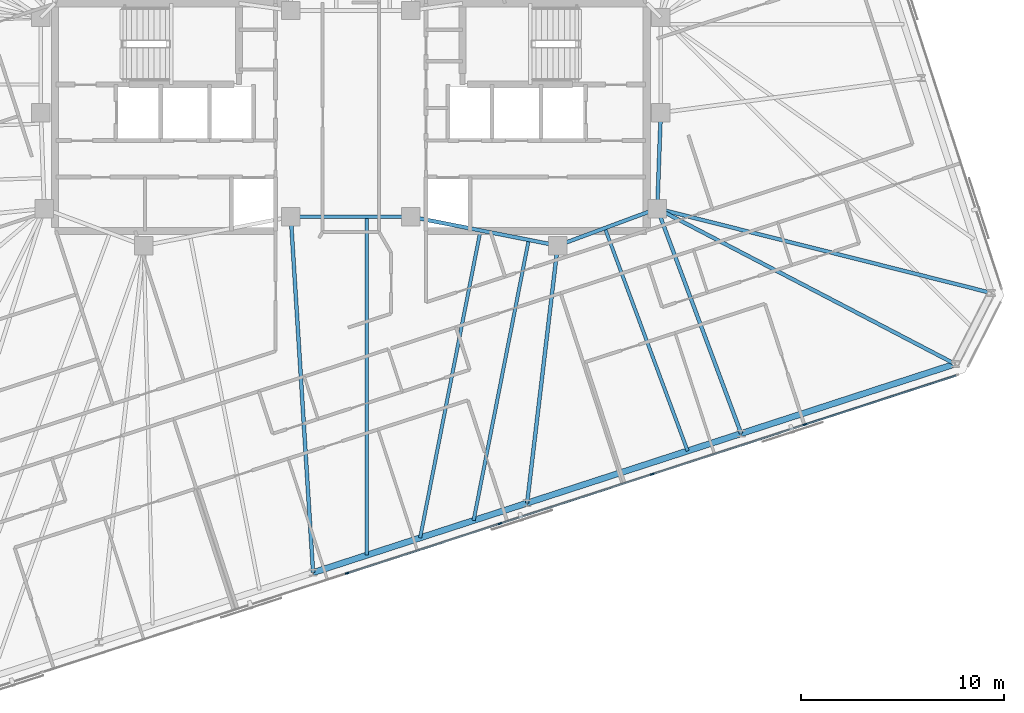
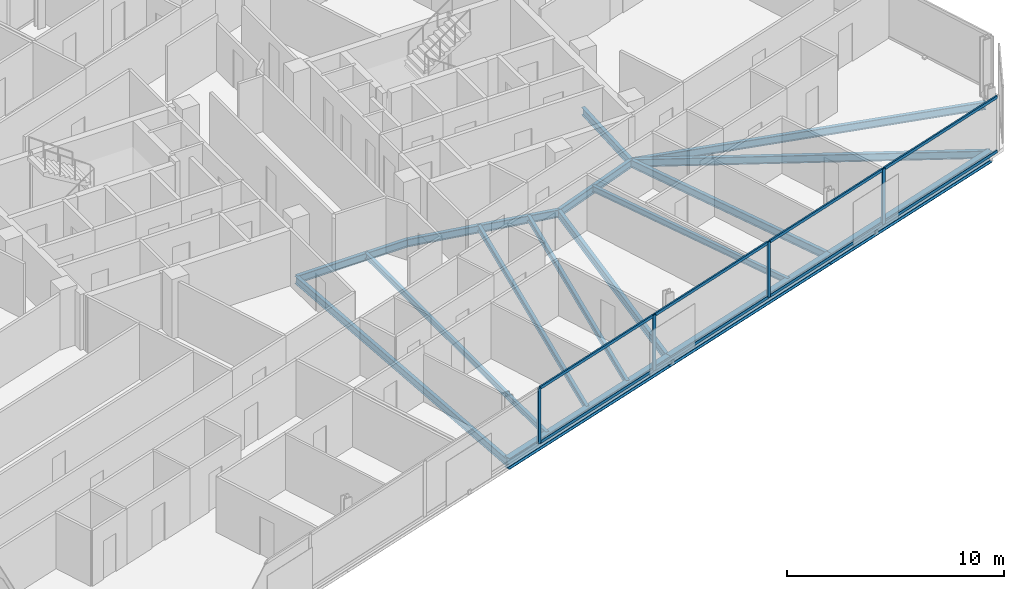
# One storey, part 7 of 20: 16 beams, 12 members, 1 element without a shape of its own.
"""IFC4 building model written with IfcOpenShell, lengths in metres."""

from ifc_helpers import new_model, si_unit, direction, frame, origin, origin_2d, place, context, subcontext, project, spatial, rectangle, i_section, extrude, material, material_profile, profile_set, type_object, element, aggregate, save


model = new_model("IFC4")

# Units and contexts
model_context = context("Model", 3, precision=1e-05, world=origin(), true_north=direction((0.0, 1.0)))
body_context = subcontext(model_context, "Body", "Model", "MODEL_VIEW")
ifc_project = project(units=[si_unit("LENGTHUNIT", "METRE"), si_unit("AREAUNIT", "SQUARE_METRE"), si_unit("VOLUMEUNIT", "CUBIC_METRE"), si_unit("PLANEANGLEUNIT", "RADIAN"), si_unit("MASSUNIT", "GRAM", prefix="KILO")], contexts=[model_context])

# Site, building, storey
site_placement = place(None, origin())
site = spatial("IfcSite", under=ifc_project, at=site_placement, CompositionType="ELEMENT")
building_placement = place(site_placement, origin())
building = spatial("IfcBuilding", under=site, at=building_placement, Name="Menara Jurai Vektor", CompositionType="ELEMENT")
storey_placement = place(building_placement, frame((0.0, 0.0, 247.75)))
storey = spatial("IfcBuildingStorey", under=building, at=storey_placement, Name="L66", CompositionType="ELEMENT", Elevation=247.75)

# Curtain wall, members
ifc_material_1 = material(Name="Anodised Pale Aluminium & Low-E Double Glazing", Category="aluminium")
curtain_wall_type = type_object("IfcCurtainWallType", Name="CW-BLK4", PredefinedType="NOTDEFINED", material=ifc_material_1)
curtain_wall_placement = place(storey_placement, origin())
curtain_wall = element("IfcCurtainWall", 1, at=curtain_wall_placement, inside=storey, type_object=curtain_wall_type, Name="Unitised Curtain Wall L66 F01", PredefinedType="NOTDEFINED")
ifc_material_2 = material(Name="Anodised Pale Aluminium Mullion", Category="aluminium")
ifc_material_profile_1 = material_profile(ifc_material_2, rectangle(XDim=0.080078125, YDim=0.18994140625, at=origin_2d()), Name="ALU MUL 80x190")
ifc_profile_set_1 = profile_set([ifc_material_profile_1], Name="Anodised Pale Aluminium Mullion")
member_type_1 = type_object("IfcMemberType", Name="CW-BLK4-MUL", PredefinedType="MULLION", material=ifc_profile_set_1)
member_1_placement = place(storey_placement, frame((-0.17236328125, -22.4404296875, 0.0), z_axis=(0.0, 0.0, 1.0), x_axis=(-0.309017344167, 0.951056402641, 0.0)))
member_1 = element("IfcMember", 2, at=member_1_placement, type_object=member_type_1, Name="CW-04 mullion 4", PredefinedType="MULLION", context=body_context, shape_type="SweptSolid", body=[
    extrude(rectangle(XDim=0.080078125, YDim=0.18994140625, at=origin_2d()), origin(), (0.0, 0.0, 1.0), 3.125),
])
member_2_placement = place(storey_placement, frame((7.3330078125, -20.001953125, 0.0), z_axis=(0.0, 0.0, 1.0), x_axis=(-0.309017344167, 0.951056402641, 0.0)))
member_2 = element("IfcMember", 3, at=member_2_placement, type_object=member_type_1, Name="CW-04 mullion 5", PredefinedType="MULLION", context=body_context, shape_type="SweptSolid", body=[
    extrude(rectangle(XDim=0.080078125, YDim=0.18994140625, at=origin_2d()), origin(), (0.0, 0.0, 1.0), 3.125),
])
member_3_placement = place(storey_placement, frame((14.838134765625, -17.563232421875, 0.0), z_axis=(0.0, 0.0, 1.0), x_axis=(-0.309017344167, 0.951056402641, 0.0)))
member_3 = element("IfcMember", 4, at=member_3_placement, type_object=member_type_1, Name="CW-04 mullion 6", PredefinedType="MULLION", context=body_context, shape_type="SweptSolid", body=[
    extrude(rectangle(XDim=0.080078125, YDim=0.18994140625, at=origin_2d()), origin(), (0.0, 0.0, 1.0), 3.125),
])
member_4_placement = place(storey_placement, frame((22.34326171875, -15.124755859375, 0.0), z_axis=(0.0, 0.0, 1.0), x_axis=(-0.309017344167, 0.951056402641, 0.0)))
member_4 = element("IfcMember", 5, at=member_4_placement, type_object=member_type_1, Name="CW-04 mullion 7", PredefinedType="MULLION", context=body_context, shape_type="SweptSolid", body=[
    extrude(rectangle(XDim=0.080078125, YDim=0.18994140625, at=origin_2d()), origin(), (0.0, 0.0, 1.0), 3.125),
])
ifc_material_3 = material(Name="Anodised Pale Aluminium Transom", Category="aluminium")
ifc_material_profile_2 = material_profile(ifc_material_3, rectangle(XDim=0.080078125, YDim=0.1650390625, at=origin_2d()), Name="ALU TRN 80x165")
ifc_profile_set_2 = profile_set([ifc_material_profile_2], Name="Anodised Pale Aluminium Transom")
member_type_2 = type_object("IfcMemberType", Name="CW-BLK4-TRN", PredefinedType="USERDEFINED", material=ifc_profile_set_2)
member_5_placement = place(storey_placement, frame((-0.13427734375, -22.427978515625, 0.0400390625), z_axis=(0.951059330237, 0.309008333817, 0.0), x_axis=(-0.309008333817, 0.951059330237, 0.0)))
member_5 = element("IfcMember", 6, at=member_5_placement, type_object=member_type_2, Name="CW-04 transom 4.1", ObjectType="TRANSOM", PredefinedType="USERDEFINED", context=body_context, shape_type="SweptSolid", body=[
    extrude(rectangle(XDim=0.080078125, YDim=0.1650390625, at=origin_2d()), origin(), (0.0, 0.0, 1.0), 7.8115234375),
])
member_6_placement = place(storey_placement, frame((-0.13427734375, -22.427978515625, 3.0849609375), z_axis=(0.951059330237, 0.309008333817, 0.0), x_axis=(-0.309008333817, 0.951059330237, 0.0)))
member_6 = element("IfcMember", 7, at=member_6_placement, type_object=member_type_2, Name="CW-04 transom 4.2", ObjectType="TRANSOM", PredefinedType="USERDEFINED", context=body_context, shape_type="SweptSolid", body=[
    extrude(rectangle(XDim=0.080078125, YDim=0.1650390625, at=origin_2d()), origin(), (0.0, 0.0, 1.0), 7.8115234375),
])
member_7_placement = place(storey_placement, frame((7.37109375, -19.989501953125, 0.0400390625), z_axis=(0.95105634578, 0.309017519167, 0.0), x_axis=(-0.309017519167, 0.95105634578, 0.0)))
member_7 = element("IfcMember", 8, at=member_7_placement, type_object=member_type_2, Name="CW-04 transom 5.1", ObjectType="TRANSOM", PredefinedType="USERDEFINED", context=body_context, shape_type="SweptSolid", body=[
    extrude(rectangle(XDim=0.080078125, YDim=0.1650390625, at=origin_2d()), origin(), (0.0, 0.0, 1.0), 7.811279296875),
])
member_8_placement = place(storey_placement, frame((7.37109375, -19.989501953125, 3.0849609375), z_axis=(0.95105634578, 0.309017519167, 0.0), x_axis=(-0.309017519167, 0.95105634578, 0.0)))
member_8 = element("IfcMember", 9, at=member_8_placement, type_object=member_type_2, Name="CW-04 transom 5.2", ObjectType="TRANSOM", PredefinedType="USERDEFINED", context=body_context, shape_type="SweptSolid", body=[
    extrude(rectangle(XDim=0.080078125, YDim=0.1650390625, at=origin_2d()), origin(), (0.0, 0.0, 1.0), 7.811279296875),
])
member_9_placement = place(storey_placement, frame((14.876220703125, -17.551025390625, 0.0400390625), z_axis=(0.95104715984, 0.309045789099, 0.0), x_axis=(-0.309045789099, 0.95104715984, 0.0)))
member_9 = element("IfcMember", 10, at=member_9_placement, type_object=member_type_2, Name="CW-04 transom 6.1", ObjectType="TRANSOM", PredefinedType="USERDEFINED", context=body_context, shape_type="SweptSolid", body=[
    extrude(rectangle(XDim=0.080078125, YDim=0.1650390625, at=origin_2d()), origin(), (0.0, 0.0, 1.0), 7.811279296875),
])
member_10_placement = place(storey_placement, frame((14.876220703125, -17.551025390625, 3.0849609375), z_axis=(0.95104715984, 0.309045789099, 0.0), x_axis=(-0.309045789099, 0.95104715984, 0.0)))
member_10 = element("IfcMember", 11, at=member_10_placement, type_object=member_type_2, Name="CW-04 transom 6.2", ObjectType="TRANSOM", PredefinedType="USERDEFINED", context=body_context, shape_type="SweptSolid", body=[
    extrude(rectangle(XDim=0.080078125, YDim=0.1650390625, at=origin_2d()), origin(), (0.0, 0.0, 1.0), 7.811279296875),
])
member_11_placement = place(storey_placement, frame((22.38134765625, -15.1123046875, 0.0400390625), z_axis=(0.951062230089, 0.308999408573, 0.0), x_axis=(-0.308999408573, 0.951062230089, 0.0)))
member_11 = element("IfcMember", 12, at=member_11_placement, type_object=member_type_2, Name="CW-04 transom 7.1", ObjectType="TRANSOM", PredefinedType="USERDEFINED", context=body_context, shape_type="SweptSolid", body=[
    extrude(rectangle(XDim=0.080078125, YDim=0.1650390625, at=origin_2d()), origin(), (0.0, 0.0, 1.0), 7.771484375),
])
member_12_placement = place(storey_placement, frame((22.38134765625, -15.1123046875, 3.0849609375), z_axis=(0.951062230089, 0.308999408573, 0.0), x_axis=(-0.308999408573, 0.951062230089, 0.0)))
member_12 = element("IfcMember", 13, at=member_12_placement, type_object=member_type_2, Name="CW-04 transom 7.2", ObjectType="TRANSOM", PredefinedType="USERDEFINED", context=body_context, shape_type="SweptSolid", body=[
    extrude(rectangle(XDim=0.080078125, YDim=0.1650390625, at=origin_2d()), origin(), (0.0, 0.0, 1.0), 7.771484375),
])
aggregate(curtain_wall, [member_1, member_2, member_3, member_4, member_5, member_6, member_7, member_8, member_9, member_10, member_11, member_12])

# Beams
ifc_material_4 = material(Name="Steel S355", Category="steel")
ifc_material_profile_3 = material_profile(ifc_material_4, i_section(OverallWidth=0.18505859375, OverallDepth=0.429931640625, WebThickness=0.010986328125, FlangeThickness=0.01806640625, at=origin_2d()), Name="PG 430x185x76")
ifc_profile_set_3 = profile_set([ifc_material_profile_3], Name="Steel S355")
beam_type_1 = type_object("IfcBeamType", Name="STR-BM-430", PredefinedType="BEAM", material=ifc_profile_set_3)
beam_1_placement = place(storey_placement, frame((15.080078125, -4.5, -0.43994140625), z_axis=(0.035977314146, 0.999352606874, 0.0), x_axis=(-0.999352606874, 0.035977314146, 0.0)))
element("IfcBeam", 14, at=beam_1_placement, inside=storey, type_object=beam_type_1, Name="Core Ring Header Girder L66-CHE-E2", PredefinedType="BEAM", context=body_context, shape_type="SweptSolid", body=[
    extrude(i_section(OverallWidth=0.18505859375, OverallDepth=0.429931640625, WebThickness=0.010986328125, FlangeThickness=0.01806640625, at=origin_2d()), origin(), (0.0, 0.0, 1.0), 4.72314453125),
])
beam_2_placement = place(storey_placement, frame((10.179931640625, -6.320068359375, -0.43994140625), z_axis=(0.937424400887, 0.348188874925, 0.0), x_axis=(-0.348188874925, 0.937424400887, 0.0)))
element("IfcBeam", 15, at=beam_2_placement, inside=storey, type_object=beam_type_1, Name="Core Ring Header Girder L66-CHE-S1", PredefinedType="BEAM", context=body_context, shape_type="SweptSolid", body=[
    extrude(i_section(OverallWidth=0.18505859375, OverallDepth=0.429931640625, WebThickness=0.010986328125, FlangeThickness=0.01806640625, at=origin_2d()), origin(), (0.0, 0.0, 1.0), 5.227294921875),
])
beam_3_placement = place(storey_placement, frame((2.949951171875, -4.89990234375, -0.43994140625), z_axis=(0.981249044334, -0.192744164614, 0.0), x_axis=(0.192744164614, 0.981249044334, 0.0)))
element("IfcBeam", 16, at=beam_3_placement, inside=storey, type_object=beam_type_1, Name="Core Ring Header Girder L66-CHE-S2", PredefinedType="BEAM", context=body_context, shape_type="SweptSolid", body=[
    extrude(i_section(OverallWidth=0.18505859375, OverallDepth=0.429931640625, WebThickness=0.010986328125, FlangeThickness=0.01806640625, at=origin_2d()), origin(), (0.0, 0.0, 1.0), 7.3681640625),
])
beam_4_placement = place(storey_placement, frame((-2.949951171875, -4.89990234375, -0.43994140625), z_axis=(1.0, 0.0, 0.0), x_axis=(0.0, 1.0, 0.0)))
element("IfcBeam", 17, at=beam_4_placement, inside=storey, type_object=beam_type_1, Name="Core Ring Header Girder L66-CC-1", PredefinedType="BEAM", context=body_context, shape_type="SweptSolid", body=[
    extrude(i_section(OverallWidth=0.18505859375, OverallDepth=0.429931640625, WebThickness=0.010986328125, FlangeThickness=0.01806640625, at=origin_2d()), origin(), (0.0, 0.0, 1.0), 5.89990234375),
])
beam_5_placement = place(storey_placement, frame((-1.854248046875, -22.40869140625, -0.43994140625), z_axis=(-0.062457995419, 0.998047593458, 0.0), x_axis=(-0.998047593458, -0.062457995419, 0.0)))
element("IfcBeam", 18, at=beam_5_placement, inside=storey, type_object=beam_type_1, Name="Radial Floor Girder L66-S3", PredefinedType="BEAM", context=body_context, shape_type="SweptSolid", body=[
    extrude(i_section(OverallWidth=0.18505859375, OverallDepth=0.429931640625, WebThickness=0.010986328125, FlangeThickness=0.01806640625, at=origin_2d()), origin(), (0.0, 0.0, 1.0), 17.54296875),
])
beam_6_placement = place(storey_placement, frame((8.675048828125, -18.987548828125, -0.43994140625), z_axis=(0.117969360513, 0.99301723549, 0.0), x_axis=(-0.99301723549, 0.117969360513, 0.0)))
element("IfcBeam", 19, at=beam_6_placement, inside=storey, type_object=beam_type_1, Name="Radial Floor Girder L66-S4", PredefinedType="BEAM", context=body_context, shape_type="SweptSolid", body=[
    extrude(i_section(OverallWidth=0.18505859375, OverallDepth=0.429931640625, WebThickness=0.010986328125, FlangeThickness=0.01806640625, at=origin_2d()), origin(), (0.0, 0.0, 1.0), 12.756591796875),
])
beam_7_placement = place(storey_placement, frame((19.204345703125, -15.56640625, -0.43994140625), z_axis=(-0.349219718154, 0.93704086808, 0.0), x_axis=(-0.93704086808, -0.349219718154, 0.0)))
element("IfcBeam", 20, at=beam_7_placement, inside=storey, type_object=beam_type_1, Name="Radial Floor Girder L66-S5", PredefinedType="BEAM", context=body_context, shape_type="SweptSolid", body=[
    extrude(i_section(OverallWidth=0.18505859375, OverallDepth=0.429931640625, WebThickness=0.010986328125, FlangeThickness=0.01806640625, at=origin_2d()), origin(), (0.0, 0.0, 1.0), 11.81005859375),
])
beam_8_placement = place(storey_placement, frame((29.7333984375, -12.14501953125, -0.43994140625), z_axis=(-0.886589587068, 0.462556919851, 0.0), x_axis=(-0.462556919851, -0.886589587068, 0.0)))
element("IfcBeam", 21, at=beam_8_placement, inside=storey, type_object=beam_type_1, Name="Radial Floor Girder L66-S6", PredefinedType="BEAM", context=body_context, shape_type="SweptSolid", body=[
    extrude(i_section(OverallWidth=0.18505859375, OverallDepth=0.429931640625, WebThickness=0.010986328125, FlangeThickness=0.01806640625, at=origin_2d()), origin(), (0.0, 0.0, 1.0), 16.52783203125),
])
beam_9_placement = place(storey_placement, frame((31.513427734375, -8.652099609375, -0.43994140625), z_axis=(-0.969531956771, 0.244964864418, 0.0), x_axis=(-0.244964864418, -0.969531956771, 0.0)))
element("IfcBeam", 22, at=beam_9_placement, inside=storey, type_object=beam_type_1, Name="Radial Floor Girder L66-E1", PredefinedType="BEAM", context=body_context, shape_type="SweptSolid", body=[
    extrude(i_section(OverallWidth=0.18505859375, OverallDepth=0.429931640625, WebThickness=0.010986328125, FlangeThickness=0.01806640625, at=origin_2d()), origin(), (0.0, 0.0, 1.0), 16.94970703125),
])
ifc_material_profile_4 = material_profile(ifc_material_4, i_section(OverallWidth=0.1650390625, OverallDepth=0.330078125, WebThickness=0.009033203125, FlangeThickness=0.013916015625, at=origin_2d()), Name="PG 330x165x46")
ifc_profile_set_4 = profile_set([ifc_material_profile_4], Name="Steel S355")
beam_type_2 = type_object("IfcBeamType", Name="STR-JS-330", PredefinedType="JOIST", material=ifc_profile_set_4)
beam_10_placement = place(storey_placement, frame((0.778076171875, -21.55322265625, -0.389892578125), z_axis=(0.0, 1.0, 0.0), x_axis=(-1.0, 0.0, 0.0)))
element("IfcBeam", 23, at=beam_10_placement, inside=storey, type_object=beam_type_2, Name="Radial Secondary Floor Joist L66-JS05", PredefinedType="JOIST", context=body_context, shape_type="SweptSolid", body=[
    extrude(i_section(OverallWidth=0.1650390625, OverallDepth=0.330078125, WebThickness=0.009033203125, FlangeThickness=0.013916015625, at=origin_2d()), origin(), (0.0, 0.0, 1.0), 16.6533203125),
])
beam_11_placement = place(storey_placement, frame((3.410400390625, -20.697998046875, -0.389892578125), z_axis=(0.192721610081, 0.981253474393, 0.0), x_axis=(-0.981253474393, 0.192721610081, 0.0)))
element("IfcBeam", 24, at=beam_11_placement, inside=storey, type_object=beam_type_2, Name="Radial Secondary Floor Joist L66-JS06", PredefinedType="JOIST", context=body_context, shape_type="SweptSolid", body=[
    extrude(i_section(OverallWidth=0.1650390625, OverallDepth=0.330078125, WebThickness=0.009033203125, FlangeThickness=0.013916015625, at=origin_2d()), origin(), (0.0, 0.0, 1.0), 15.413330078125),
])
beam_12_placement = place(storey_placement, frame((6.042724609375, -19.8427734375, -0.389892578125), z_axis=(0.192720535629, 0.981253685418, 0.0), x_axis=(-0.981253685418, 0.192720535629, 0.0)))
element("IfcBeam", 25, at=beam_12_placement, inside=storey, type_object=beam_type_2, Name="Radial Secondary Floor Joist L66-JS07", PredefinedType="JOIST", context=body_context, shape_type="SweptSolid", body=[
    extrude(i_section(OverallWidth=0.1650390625, OverallDepth=0.330078125, WebThickness=0.009033203125, FlangeThickness=0.013916015625, at=origin_2d()), origin(), (0.0, 0.0, 1.0), 14.066650390625),
])
beam_13_placement = place(storey_placement, frame((16.572021484375, -16.421630859375, -0.389892578125), z_axis=(-0.348179715909, 0.937427802782, 0.0), x_axis=(-0.937427802782, -0.348179715909, 0.0)))
element("IfcBeam", 26, at=beam_13_placement, inside=storey, type_object=beam_type_2, Name="Radial Secondary Floor Joist L66-JS08", PredefinedType="JOIST", context=body_context, shape_type="SweptSolid", body=[
    extrude(i_section(OverallWidth=0.1650390625, OverallDepth=0.330078125, WebThickness=0.009033203125, FlangeThickness=0.013916015625, at=origin_2d()), origin(), (0.0, 0.0, 1.0), 11.695068359375),
])
ifc_material_profile_5 = material_profile(ifc_material_4, i_section(OverallWidth=0.306884765625, OverallDepth=0.6201171875, WebThickness=0.013916015625, FlangeThickness=0.02392578125, FilletRadius=0.01708984375, at=origin_2d()), Name="UKB 610x305x179")
ifc_profile_set_5 = profile_set([ifc_material_profile_5], Name="Steel S355")
beam_type_3 = type_object("IfcBeamType", Name="STR-SP-610", PredefinedType="SPANDREL", material=ifc_profile_set_5)
for number, where, z_axis, x_axis, name in (
    (27, (-1.854248046875, -22.40869140625, -0.534912109375), (0.951057401967, 0.309014268544, 0.0), (-0.309014268544, 0.951057401967, 0.0), "Exoskeleton Spandrel Beam L66-03"),
    (28, (8.675048828125, -18.987548828125, -0.534912109375), (0.951057401967, 0.309014268544, 0.0), (-0.309014268544, 0.951057401967, 0.0), "Exoskeleton Spandrel Beam L66-04"),
    (29, (19.204345703125, -15.56640625, -0.534912109375), (0.951048814879, 0.309040695892, 0.0), (-0.309040695892, 0.951048814879, 0.0), "Exoskeleton Spandrel Beam L66-05"),
):
    element("IfcBeam", number, at=place(storey_placement, frame(where, z_axis=z_axis, x_axis=x_axis)), inside=storey, type_object=beam_type_3, Name=name, PredefinedType="SPANDREL", context=body_context, shape_type="SweptSolid", body=[
        extrude(i_section(OverallWidth=0.306884765625, OverallDepth=0.6201171875, WebThickness=0.013916015625, FlangeThickness=0.02392578125, FilletRadius=0.01708984375, at=origin_2d()), origin(), (0.0, 0.0, 1.0), 11.071044921875),
    ])

save(model, "model.ifc")
